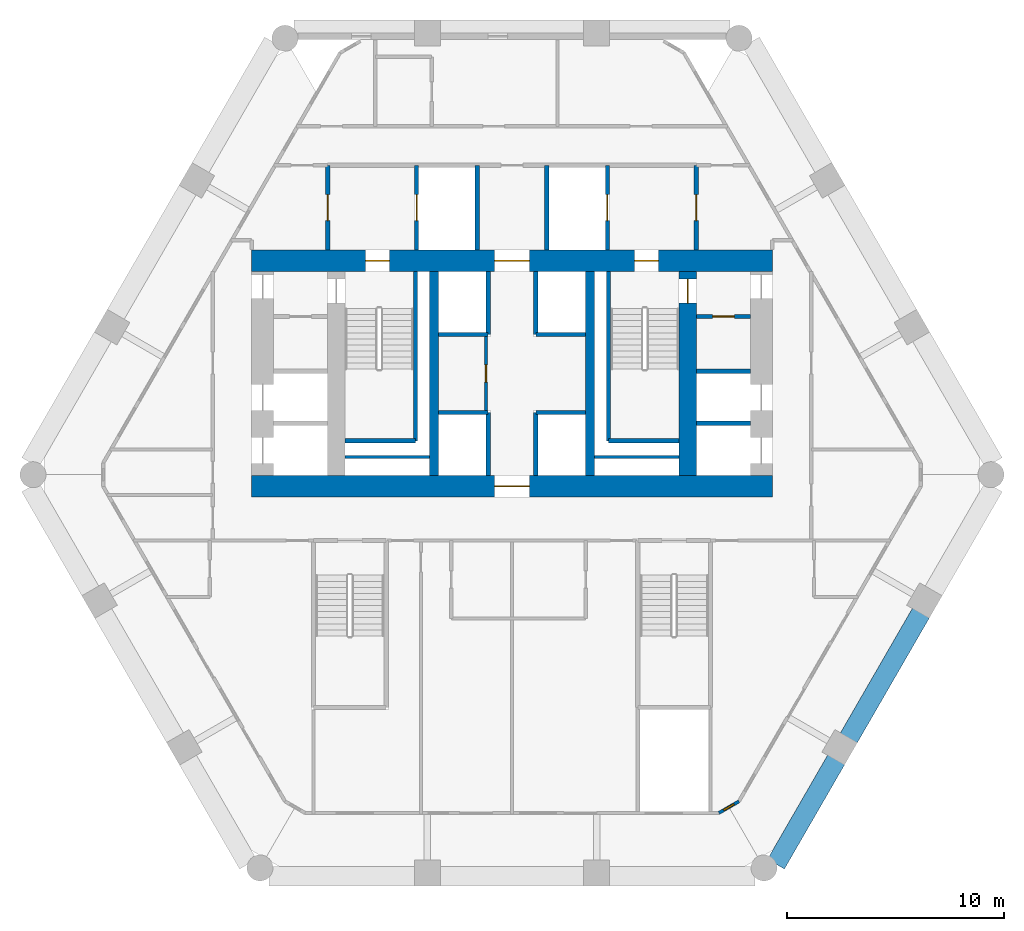
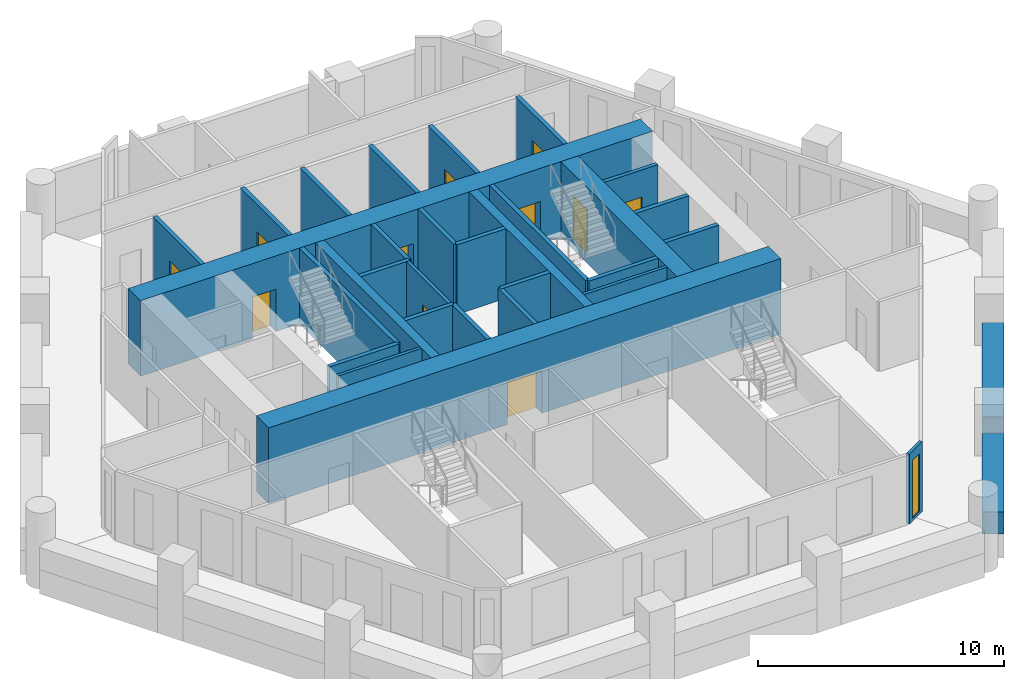
# One storey, part 4 of 7: 32 walls, 11 doors, 1 window, 12 openings.
"""IFC4 building model written with IfcOpenShell, lengths in metres."""

from ifc_helpers import new_model, si_unit, direction, frame, frame_2d, origin, place, context, subcontext, project, spatial, rectangle, extrude, material, layer, layer_set, type_object, element, fill, save


model = new_model("IFC4")

# Units and contexts
model_context = context("Model", 3, precision=1e-05, world=origin(), true_north=direction((0.0, 1.0)))
body_context = subcontext(model_context, "Body", "Model", "MODEL_VIEW")
ifc_project = project(units=[si_unit("LENGTHUNIT", "METRE"), si_unit("AREAUNIT", "SQUARE_METRE"), si_unit("VOLUMEUNIT", "CUBIC_METRE"), si_unit("PLANEANGLEUNIT", "RADIAN"), si_unit("MASSUNIT", "GRAM", prefix="KILO")], contexts=[model_context])

# Site, building, storey
site_placement = place(None, origin())
site = spatial("IfcSite", under=ifc_project, at=site_placement, CompositionType="ELEMENT")
building_placement = place(site_placement, origin())
building = spatial("IfcBuilding", under=site, at=building_placement, Name="Ostrander Bayou Hotel Tower", CompositionType="ELEMENT")
storey_placement = place(building_placement, frame((0.0, 0.0, 119.75)))
storey = spatial("IfcBuildingStorey", under=building, at=storey_placement, Name="L29", CompositionType="ELEMENT", Elevation=119.75)

# Wall, opening, door
ifc_material_1 = material(Name="Concrete f'c 70 MPa", Category="concrete")
ifc_layer_1 = layer(ifc_material_1, 1.0)
ifc_layer_set_1 = layer_set([ifc_layer_1], Name="CW4 core wall 1000 mm f'c 70 MPa")
wall_type_1 = type_object("IfcWallType", Name="CW4 core wall 1000 mm f'c 70 MPa", PredefinedType="SHEAR", material=ifc_layer_set_1)
wall_1_placement = place(storey_placement, frame((-12.0, -1.199951171875, -0.300048828125), z_axis=(0.0, 0.0, 1.0), x_axis=(1.0, 0.0, 0.0)))
wall_1 = element("IfcWall", 1, at=wall_1_placement, inside=storey, type_object=wall_type_1, Name="CW4 L29 S", PredefinedType="SHEAR", context=body_context, shape_type="SweptSolid", body=[
    extrude(rectangle(XDim=24.0, YDim=1.0, at=frame_2d((12.0, 0.0))), origin(), (0.0, 0.0, 1.0), 3.75),
])
opening_1_placement = place(wall_1_placement, frame((11.199951171875, 0.0, 0.0)))
opening_1 = element("IfcOpeningElement", 2, at=opening_1_placement, cuts=wall_1, Name="Opening T28-001", PredefinedType="OPENING", context=body_context, shape_type="SweptSolid", body=[
    extrude(rectangle(XDim=1.60009765625, YDim=2.10009765625, at=frame_2d((0.800048828125, 1.050048828125))), frame((0.0, 0.5, 0.0), z_axis=(0.0, -1.0, 0.0), x_axis=(1.0, 0.0, 0.0)), (0.0, 0.0, 1.0), 1.0),
])
ifc_material_2 = material(Name="Timber door leaf", Category="wood")
door_type_1 = type_object("IfcDoorType", Name="D13 double door 1600 x 2100 mm, 1 hour", OperationType="SINGLE_SWING_LEFT", PredefinedType="DOOR", material=ifc_material_2)
door_1_placement = place(opening_1_placement, origin())
door_1 = element("IfcDoor", 3, at=door_1_placement, inside=storey, type_object=door_type_1, Name="dr:L29:001", OperationType="DOUBLE_DOOR_SINGLE_SWING", OverallHeight=2.10009765625, OverallWidth=1.60009765625, PredefinedType="DOOR", context=body_context, shape_type="SweptSolid", body=[
    extrude(rectangle(XDim=1.60009765625, YDim=2.10009765625, at=frame_2d((0.800048828125, 1.050048828125))), frame((0.0, 0.02490234375, 0.0), z_axis=(0.0, -1.0, 0.0), x_axis=(1.0, 0.0, 0.0)), (0.0, 0.0, 1.0), 0.050048828125),
])
fill(opening_1, door_1)

# Wall, openings, doors
wall_2_placement = place(storey_placement, frame((-12.0, 9.199951171875, -0.300048828125), z_axis=(0.0, 0.0, 1.0), x_axis=(1.0, 0.0, 0.0)))
wall_2 = element("IfcWall", 4, at=wall_2_placement, inside=storey, type_object=wall_type_1, Name="CW4 L29 N", PredefinedType="SHEAR", context=body_context, shape_type="SweptSolid", body=[
    extrude(rectangle(XDim=24.0, YDim=1.0, at=frame_2d((12.0, 0.0))), origin(), (0.0, 0.0, 1.0), 3.75),
])
opening_2_placement = place(wall_2_placement, frame((11.199951171875, 0.0, 0.0)))
opening_2 = element("IfcOpeningElement", 5, at=opening_2_placement, cuts=wall_2, Name="Opening T28-002", PredefinedType="OPENING", context=body_context, shape_type="SweptSolid", body=[
    extrude(rectangle(XDim=1.60009765625, YDim=2.10009765625, at=frame_2d((0.800048828125, 1.050048828125))), frame((0.0, 0.5, 0.0), z_axis=(0.0, -1.0, 0.0), x_axis=(1.0, 0.0, 0.0)), (0.0, 0.0, 1.0), 1.0),
])
opening_3_placement = place(wall_2_placement, frame((5.25, 0.0, 0.0)))
opening_3 = element("IfcOpeningElement", 6, at=opening_3_placement, cuts=wall_2, Name="Opening T28-003", PredefinedType="OPENING", context=body_context, shape_type="SweptSolid", body=[
    extrude(rectangle(XDim=1.10009765625, YDim=2.10009765625, at=frame_2d((0.550048828125, 1.050048828125))), frame((0.0, 0.5, 0.0), z_axis=(0.0, -1.0, 0.0), x_axis=(1.0, 0.0, 0.0)), (0.0, 0.0, 1.0), 1.0),
])
opening_4_placement = place(wall_2_placement, frame((17.64990234375, 0.0, 0.0)))
opening_4 = element("IfcOpeningElement", 7, at=opening_4_placement, cuts=wall_2, Name="Opening T28-005", PredefinedType="OPENING", context=body_context, shape_type="SweptSolid", body=[
    extrude(rectangle(XDim=1.10009765625, YDim=2.10009765625, at=frame_2d((0.550048828125, 1.050048828125))), frame((0.0, 0.5, 0.0), z_axis=(0.0, -1.0, 0.0), x_axis=(1.0, 0.0, 0.0)), (0.0, 0.0, 1.0), 1.0),
])
door_2_placement = place(opening_2_placement, origin())
door_2 = element("IfcDoor", 8, at=door_2_placement, inside=storey, type_object=door_type_1, Name="dr:L29:002", OperationType="DOUBLE_DOOR_SINGLE_SWING", OverallHeight=2.10009765625, OverallWidth=1.60009765625, PredefinedType="DOOR", context=body_context, shape_type="SweptSolid", body=[
    extrude(rectangle(XDim=1.60009765625, YDim=2.10009765625, at=frame_2d((0.800048828125, 1.050048828125))), frame((0.0, 0.02490234375, 0.0), z_axis=(0.0, -1.0, 0.0), x_axis=(1.0, 0.0, 0.0)), (0.0, 0.0, 1.0), 0.050048828125),
])
fill(opening_2, door_2)
ifc_material_3 = material(Name="Timber door leaf", Category="wood")
door_type_2 = type_object("IfcDoorType", Name="D5 stair door 1100 x 2100 mm, 90 minute", OperationType="SINGLE_SWING_LEFT", PredefinedType="DOOR", material=ifc_material_3)
door_3_placement = place(opening_3_placement, origin())
door_3 = element("IfcDoor", 9, at=door_3_placement, inside=storey, type_object=door_type_2, Name="dr:L29:003", OperationType="SINGLE_SWING_LEFT", OverallHeight=2.10009765625, OverallWidth=1.10009765625, PredefinedType="DOOR", context=body_context, shape_type="SweptSolid", body=[
    extrude(rectangle(XDim=1.10009765625, YDim=2.10009765625, at=frame_2d((0.550048828125, 1.050048828125))), frame((0.0, 0.02490234375, 0.0), z_axis=(0.0, -1.0, 0.0), x_axis=(1.0, 0.0, 0.0)), (0.0, 0.0, 1.0), 0.050048828125),
])
fill(opening_3, door_3)
door_4_placement = place(opening_4_placement, origin())
door_4 = element("IfcDoor", 10, at=door_4_placement, inside=storey, type_object=door_type_2, Name="dr:L29:005", OperationType="SINGLE_SWING_RIGHT", OverallHeight=2.10009765625, OverallWidth=1.10009765625, PredefinedType="DOOR", context=body_context, shape_type="SweptSolid", body=[
    extrude(rectangle(XDim=1.10009765625, YDim=2.10009765625, at=frame_2d((0.550048828125, 1.050048828125))), frame((0.0, 0.02490234375, 0.0), z_axis=(0.0, -1.0, 0.0), x_axis=(1.0, 0.0, 0.0)), (0.0, 0.0, 1.0), 0.050048828125),
])
fill(opening_4, door_4)

# Wall, opening, door
ifc_material_4 = material(Name="Concrete f'c 70 MPa", Category="concrete")
ifc_layer_2 = layer(ifc_material_4, 0.800048828125)
ifc_layer_set_2 = layer_set([ifc_layer_2], Name="CW5 core spine wall 800 mm f'c 70 MPa")
wall_type_2 = type_object("IfcWallType", Name="CW5 core spine wall 800 mm f'c 70 MPa", PredefinedType="SHEAR", material=ifc_layer_set_2)
wall_3_placement = place(storey_placement, frame((8.10009765625, -0.699951171875, -0.300048828125), z_axis=(0.0, 0.0, 1.0), x_axis=(0.0, 1.0, 0.0)))
wall_3 = element("IfcWall", 11, at=wall_3_placement, inside=storey, type_object=wall_type_2, Name="CW5 L29 E", PredefinedType="SHEAR", context=body_context, shape_type="SweptSolid", body=[
    extrude(rectangle(XDim=9.39990234375, YDim=0.800048828125, at=frame_2d((4.699951171875, 0.0))), origin(), (0.0, 0.0, 1.0), 3.75),
])
opening_5_placement = place(wall_3_placement, frame((7.949951171875, 0.0, 0.0)))
opening_5 = element("IfcOpeningElement", 12, at=opening_5_placement, cuts=wall_3, Name="Opening T28-006", PredefinedType="OPENING", context=body_context, shape_type="SweptSolid", body=[
    extrude(rectangle(XDim=1.10009765625, YDim=2.10009765625, at=frame_2d((0.550048828125, 1.050048828125))), frame((0.0, 0.39990234375, 0.0), z_axis=(0.0, -1.0, 0.0), x_axis=(1.0, 0.0, 0.0)), (0.0, 0.0, 1.0), 0.800048828125),
])
door_5_placement = place(opening_5_placement, origin())
door_5 = element("IfcDoor", 13, at=door_5_placement, inside=storey, type_object=door_type_2, Name="dr:L29:006", OperationType="SINGLE_SWING_LEFT", OverallHeight=2.10009765625, OverallWidth=1.10009765625, PredefinedType="DOOR", context=body_context, shape_type="SweptSolid", body=[
    extrude(rectangle(XDim=1.10009765625, YDim=2.10009765625, at=frame_2d((0.550048828125, 1.050048828125))), frame((0.0, 0.02490234375, 0.0), z_axis=(0.0, -1.0, 0.0), x_axis=(1.0, 0.0, 0.0)), (0.0, 0.0, 1.0), 0.050048828125),
])
fill(opening_5, door_5)

# Walls
ifc_material_5 = material(Name="Concrete f'c 70 MPa", Category="concrete")
ifc_layer_3 = layer(ifc_material_5, 0.39990234375)
ifc_layer_set_3 = layer_set([ifc_layer_3], Name="CW6 core bank wall 400 mm f'c 70 MPa")
wall_type_3 = type_object("IfcWallType", Name="CW6 core bank wall 400 mm f'c 70 MPa", PredefinedType="SHEAR", material=ifc_layer_set_3)
for number, where, z_axis, x_axis, name in (
    (14, (-3.60009765625, -0.699951171875, -0.300048828125), (0.0, 0.0, 1.0), (0.0, 1.0, 0.0), "CW6 L29 CW"),
    (15, (3.60009765625, -0.699951171875, -0.300048828125), (0.0, 0.0, 1.0), (0.0, 1.0, 0.0), "CW6 L29 CE"),
):
    element("IfcWall", number, at=place(storey_placement, frame(where, z_axis=z_axis, x_axis=x_axis)), inside=storey, type_object=wall_type_3, Name=name, PredefinedType="SHEAR", context=body_context, shape_type="SweptSolid", body=[
        extrude(rectangle(XDim=9.39990234375, YDim=0.39990234375, at=frame_2d((4.699951171875, 0.0))), origin(), (0.0, 0.0, 1.0), 3.75),
    ])

# Wall, opening, window
ifc_material_6 = material(Name="Aluminium framed insulated wall", Category="aluminium")
ifc_layer_4 = layer(ifc_material_6, 0.14990234375)
ifc_layer_set_4 = layer_set([ifc_layer_4], Name="GW1 glass-line wall 150 mm")
wall_type_4 = type_object("IfcWallType", Name="GW1 glass-line wall 150 mm", PredefinedType="SOLIDWALL", material=ifc_layer_set_4)
wall_4_placement = place(storey_placement, frame((9.541015625, -16.259521484375, 0.0), z_axis=(0.0, 0.0, 1.0), x_axis=(0.866048165231, 0.499960573946, 0.0)))
wall_4 = element("IfcWall", 16, at=wall_4_placement, inside=storey, type_object=wall_type_4, Name="GW1 L29 corner 4", PredefinedType="SOLIDWALL", context=body_context, shape_type="SweptSolid", body=[
    extrude(rectangle(XDim=1.06494140625, YDim=0.14990234375, at=frame_2d((0.532470703125, 0.0))), origin(), (0.0, 0.0, 1.0), 3.449951171875),
])
opening_6_placement = place(wall_4_placement, frame((0.257568359375, 0.0, 0.14990234375)))
opening_6 = element("IfcOpeningElement", 17, at=opening_6_placement, cuts=wall_4, Name="Opening W19", PredefinedType="OPENING", context=body_context, shape_type="SweptSolid", body=[
    extrude(rectangle(XDim=0.550048828125, YDim=2.85009765625, at=frame_2d((0.27490234375, 1.425048828125))), frame((0.0, 0.074951171875, 0.0), z_axis=(0.0, -1.0, 0.0), x_axis=(1.0, 0.0, 0.0)), (0.0, 0.0, 1.0), 0.14990234375),
])
ifc_material_7 = material(Name="Aluminium and clear glass", Category="aluminium")
window_type = type_object("IfcWindowType", Name="W19 corner window 550 mm", PartitioningType="SINGLE_PANEL", PredefinedType="WINDOW", material=ifc_material_7)
window_placement = place(opening_6_placement, origin())
window = element("IfcWindow", 18, at=window_placement, inside=storey, type_object=window_type, Name="W19 L29 corner 4", OverallHeight=2.85009765625, OverallWidth=0.550048828125, PartitioningType="SINGLE_PANEL", PredefinedType="WINDOW", context=body_context, shape_type="SweptSolid", body=[
    extrude(rectangle(XDim=0.550048828125, YDim=2.85009765625, at=frame_2d((0.27490234375, 1.425048828125))), frame((0.0, 0.030029296875, 0.0), z_axis=(0.0, -1.0, 0.0), x_axis=(1.0, 0.0, 0.0)), (0.0, 0.0, 1.0), 0.06005859375),
])
fill(opening_6, window)

# Walls
ifc_material_8 = material(Name="Limestone masonry", Category="masonry")
ifc_layer_5 = layer(ifc_material_8, 0.89990234375)
ifc_layer_set_5 = layer_set([ifc_layer_5], Name="PA2 limestone parapet 900 mm")
wall_type_5 = type_object("IfcWallType", Name="PA2 limestone parapet 900 mm", PredefinedType="PARAPET", material=ifc_layer_set_5)
wall_5_placement = place(storey_placement, frame((12.169921875, -18.620849609375, 0.0), z_axis=(0.0, 0.0, 1.0), x_axis=(0.500008568482, 0.866020456713, 0.0)))
element("IfcWall", 19, at=wall_5_placement, inside=storey, type_object=wall_type_5, Name="PA2 L29 SE-1", PredefinedType="PARAPET", context=body_context, shape_type="SweptSolid", body=[
    extrude(rectangle(XDim=5.564453125, YDim=0.89990234375, at=frame_2d((2.7822265625, 0.0))), origin(), (0.0, 0.0, 1.0), 1.10009765625),
])
wall_6_placement = place(storey_placement, frame((15.522216796875, -12.814697265625, 0.0), z_axis=(0.0, 0.0, 1.0), x_axis=(0.499999023957, 0.866025967302, 0.0)))
element("IfcWall", 20, at=wall_6_placement, inside=storey, type_object=wall_type_5, Name="PA2 L29 SE-2", PredefinedType="PARAPET", context=body_context, shape_type="SweptSolid", body=[
    extrude(rectangle(XDim=6.67333984375, YDim=0.89990234375, at=frame_2d((3.336669921875, 0.0))), origin(), (0.0, 0.0, 1.0), 1.10009765625),
])

# Wall, opening, door
ifc_material_9 = material(Name="Gypsum board partition", Category="finish")
ifc_layer_6 = layer(ifc_material_9, 0.175048828125)
ifc_layer_set_6 = layer_set([ifc_layer_6], Name="PT4 corridor wall 175 mm, 1 hour")
wall_type_6 = type_object("IfcWallType", Name="PT4 corridor wall 175 mm, 1 hour", PredefinedType="PARTITIONING", material=ifc_layer_set_6)
wall_7_placement = place(storey_placement, frame((8.5, 6.6298828125, 0.0), z_axis=(0.0, 0.0, 1.0), x_axis=(1.0, 0.0, 0.0)))
wall_7 = element("IfcWall", 21, at=wall_7_placement, inside=storey, type_object=wall_type_6, Name="cs:L29:038", PredefinedType="PARTITIONING", context=body_context, shape_type="SweptSolid", body=[
    extrude(rectangle(XDim=2.5, YDim=0.175048828125, at=frame_2d((1.25, 0.0))), origin(), (0.0, 0.0, 1.0), 3.449951171875),
])
opening_7_placement = place(wall_7_placement, frame((0.75, 0.0, 0.0)))
opening_7 = element("IfcOpeningElement", 22, at=opening_7_placement, cuts=wall_7, Name="Opening T28-019", PredefinedType="OPENING", context=body_context, shape_type="SweptSolid", body=[
    extrude(rectangle(XDim=1.0, YDim=2.10009765625, at=frame_2d((0.5, 1.050048828125))), frame((0.0, 0.08740234375, 0.0), z_axis=(0.0, -1.0, 0.0), x_axis=(1.0, 0.0, 0.0)), (0.0, 0.0, 1.0), 0.175048828125),
])
ifc_material_10 = material(Name="Timber door leaf", Category="wood")
door_type_3 = type_object("IfcDoorType", Name="D4 corridor door 1000 x 2100 mm, 1 hour", OperationType="SINGLE_SWING_LEFT", PredefinedType="DOOR", material=ifc_material_10)
door_6_placement = place(opening_7_placement, origin())
door_6 = element("IfcDoor", 23, at=door_6_placement, inside=storey, type_object=door_type_3, Name="dr:L29:019", OperationType="SINGLE_SWING_RIGHT", OverallHeight=2.10009765625, OverallWidth=1.0, PredefinedType="DOOR", context=body_context, shape_type="SweptSolid", body=[
    extrude(rectangle(XDim=1.0, YDim=2.10009765625, at=frame_2d((0.5, 1.050048828125))), frame((0.0, 0.02490234375, 0.0), z_axis=(0.0, -1.0, 0.0), x_axis=(1.0, 0.0, 0.0)), (0.0, 0.0, 1.0), 0.050048828125),
])
fill(opening_7, door_6)

ifc_material_11 = material(Name="Masonry block", Category="masonry")
ifc_layer_7 = layer(ifc_material_11, 0.199951171875)
ifc_layer_set_7 = layer_set([ifc_layer_7], Name="PT5 stair enclosure wall 200 mm masonry, 2 hour")
wall_type_7 = type_object("IfcWallType", Name="PT5 stair enclosure wall 200 mm masonry, 2 hour", PredefinedType="PARTITIONING", material=ifc_layer_set_7)
wall_8_placement = place(storey_placement, frame((-8.5, 9.699951171875, 0.0), z_axis=(0.0, 0.0, 1.0), x_axis=(0.0, 1.0, 0.0)))
wall_8 = element("IfcWall", 24, at=wall_8_placement, inside=storey, type_object=wall_type_7, Name="cs:L29:026", PredefinedType="PARTITIONING", context=body_context, shape_type="SweptSolid", body=[
    extrude(rectangle(XDim=3.900146484375, YDim=0.199951171875, at=frame_2d((1.9501953125, 0.0))), origin(), (0.0, 0.0, 1.0), 3.449951171875),
])
opening_8_placement = place(wall_8_placement, frame((1.35009765625, 0.0, 0.0)))
opening_8 = element("IfcOpeningElement", 25, at=opening_8_placement, cuts=wall_8, Name="Opening T28-010", PredefinedType="OPENING", context=body_context, shape_type="SweptSolid", body=[
    extrude(rectangle(XDim=1.199951171875, YDim=2.10009765625, at=frame_2d((0.60009765625, 1.050048828125))), frame((0.0, 0.10009765625, 0.0), z_axis=(0.0, -1.0, 0.0), x_axis=(1.0, 0.0, 0.0)), (0.0, 0.0, 1.0), 0.199951171875),
])
ifc_material_12 = material(Name="Timber door leaf", Category="wood")
door_type_4 = type_object("IfcDoorType", Name="D7 lobby door 1200 x 2100 mm, 1 hour", OperationType="SINGLE_SWING_LEFT", PredefinedType="DOOR", material=ifc_material_12)
door_7_placement = place(opening_8_placement, origin())
door_7 = element("IfcDoor", 26, at=door_7_placement, inside=storey, type_object=door_type_4, Name="dr:L29:010", OperationType="SINGLE_SWING_LEFT", OverallHeight=2.10009765625, OverallWidth=1.199951171875, PredefinedType="DOOR", context=body_context, shape_type="SweptSolid", body=[
    extrude(rectangle(XDim=1.199951171875, YDim=2.10009765625, at=frame_2d((0.60009765625, 1.050048828125))), frame((0.0, 0.02490234375, 0.0), z_axis=(0.0, -1.0, 0.0), x_axis=(1.0, 0.0, 0.0)), (0.0, 0.0, 1.0), 0.050048828125),
])
fill(opening_8, door_7)

wall_9_placement = place(storey_placement, frame((8.5, 9.699951171875, 0.0), z_axis=(0.0, 0.0, 1.0), x_axis=(0.0, 1.0, 0.0)))
wall_9 = element("IfcWall", 27, at=wall_9_placement, inside=storey, type_object=wall_type_7, Name="cs:L29:027", PredefinedType="PARTITIONING", context=body_context, shape_type="SweptSolid", body=[
    extrude(rectangle(XDim=3.900146484375, YDim=0.199951171875, at=frame_2d((1.9501953125, 0.0))), origin(), (0.0, 0.0, 1.0), 3.449951171875),
])
opening_9_placement = place(wall_9_placement, frame((1.35009765625, 0.0, 0.0)))
opening_9 = element("IfcOpeningElement", 28, at=opening_9_placement, cuts=wall_9, Name="Opening T28-012", PredefinedType="OPENING", context=body_context, shape_type="SweptSolid", body=[
    extrude(rectangle(XDim=1.199951171875, YDim=2.10009765625, at=frame_2d((0.60009765625, 1.050048828125))), frame((0.0, 0.10009765625, 0.0), z_axis=(0.0, -1.0, 0.0), x_axis=(1.0, 0.0, 0.0)), (0.0, 0.0, 1.0), 0.199951171875),
])
door_8_placement = place(opening_9_placement, origin())
door_8 = element("IfcDoor", 29, at=door_8_placement, inside=storey, type_object=door_type_4, Name="dr:L29:012", OperationType="SINGLE_SWING_LEFT", OverallHeight=2.10009765625, OverallWidth=1.199951171875, PredefinedType="DOOR", context=body_context, shape_type="SweptSolid", body=[
    extrude(rectangle(XDim=1.199951171875, YDim=2.10009765625, at=frame_2d((0.60009765625, 1.050048828125))), frame((0.0, 0.02490234375, 0.0), z_axis=(0.0, -1.0, 0.0), x_axis=(1.0, 0.0, 0.0)), (0.0, 0.0, 1.0), 0.050048828125),
])
fill(opening_9, door_8)

wall_10_placement = place(storey_placement, frame((-4.39990234375, 9.699951171875, 0.0), z_axis=(0.0, 0.0, 1.0), x_axis=(0.0, 1.0, 0.0)))
wall_10 = element("IfcWall", 30, at=wall_10_placement, inside=storey, type_object=wall_type_7, Name="cs:L29:028", PredefinedType="PARTITIONING", context=body_context, shape_type="SweptSolid", body=[
    extrude(rectangle(XDim=3.900146484375, YDim=0.199951171875, at=frame_2d((1.9501953125, 0.0))), origin(), (0.0, 0.0, 1.0), 3.449951171875),
])
opening_10_placement = place(wall_10_placement, frame((1.35009765625, 0.0, 0.0)))
opening_10 = element("IfcOpeningElement", 31, at=opening_10_placement, cuts=wall_10, Name="Opening T28-009", PredefinedType="OPENING", context=body_context, shape_type="SweptSolid", body=[
    extrude(rectangle(XDim=1.199951171875, YDim=2.10009765625, at=frame_2d((0.60009765625, 1.050048828125))), frame((0.0, 0.10009765625, 0.0), z_axis=(0.0, -1.0, 0.0), x_axis=(1.0, 0.0, 0.0)), (0.0, 0.0, 1.0), 0.199951171875),
])
ifc_material_13 = material(Name="Stainless steel sliding door", Category="steel")
door_type_5 = type_object("IfcDoorType", Name="LD1 lift landing door 1200 x 2100 mm", OperationType="SINGLE_SWING_LEFT", PredefinedType="DOOR", material=ifc_material_13)
door_9_placement = place(opening_10_placement, origin())
door_9 = element("IfcDoor", 32, at=door_9_placement, inside=storey, type_object=door_type_5, Name="dr:L29:009", OperationType="SLIDING_TO_LEFT", OverallHeight=2.10009765625, OverallWidth=1.199951171875, PredefinedType="DOOR", context=body_context, shape_type="SweptSolid", body=[
    extrude(rectangle(XDim=1.199951171875, YDim=2.10009765625, at=frame_2d((0.60009765625, 1.050048828125))), frame((0.0, 0.02490234375, 0.0), z_axis=(0.0, -1.0, 0.0), x_axis=(1.0, 0.0, 0.0)), (0.0, 0.0, 1.0), 0.050048828125),
])
fill(opening_10, door_9)

wall_11_placement = place(storey_placement, frame((4.39990234375, 9.699951171875, 0.0), z_axis=(0.0, 0.0, 1.0), x_axis=(0.0, 1.0, 0.0)))
wall_11 = element("IfcWall", 33, at=wall_11_placement, inside=storey, type_object=wall_type_7, Name="cs:L29:029", PredefinedType="PARTITIONING", context=body_context, shape_type="SweptSolid", body=[
    extrude(rectangle(XDim=3.900146484375, YDim=0.199951171875, at=frame_2d((1.9501953125, 0.0))), origin(), (0.0, 0.0, 1.0), 3.449951171875),
])
opening_11_placement = place(wall_11_placement, frame((1.35009765625, 0.0, 0.0)))
opening_11 = element("IfcOpeningElement", 34, at=opening_11_placement, cuts=wall_11, Name="Opening T28-011", PredefinedType="OPENING", context=body_context, shape_type="SweptSolid", body=[
    extrude(rectangle(XDim=1.199951171875, YDim=2.10009765625, at=frame_2d((0.60009765625, 1.050048828125))), frame((0.0, 0.10009765625, 0.0), z_axis=(0.0, -1.0, 0.0), x_axis=(1.0, 0.0, 0.0)), (0.0, 0.0, 1.0), 0.199951171875),
])
door_10_placement = place(opening_11_placement, origin())
door_10 = element("IfcDoor", 35, at=door_10_placement, inside=storey, type_object=door_type_5, Name="dr:L29:011", OperationType="SLIDING_TO_LEFT", OverallHeight=2.10009765625, OverallWidth=1.199951171875, PredefinedType="DOOR", context=body_context, shape_type="SweptSolid", body=[
    extrude(rectangle(XDim=1.199951171875, YDim=2.10009765625, at=frame_2d((0.60009765625, 1.050048828125))), frame((0.0, 0.02490234375, 0.0), z_axis=(0.0, -1.0, 0.0), x_axis=(1.0, 0.0, 0.0)), (0.0, 0.0, 1.0), 0.050048828125),
])
fill(opening_11, door_10)

# Walls
ifc_material_14 = material(Name="Masonry block", Category="masonry")
ifc_layer_8 = layer(ifc_material_14, 0.199951171875)
ifc_layer_set_8 = layer_set([ifc_layer_8], Name="PT6 lift shaft wall 200 mm masonry, 2 hour")
wall_type_8 = type_object("IfcWallType", Name="PT6 lift shaft wall 200 mm masonry, 2 hour", PredefinedType="PARTITIONING", material=ifc_layer_set_8)
for number, where, z_axis, x_axis, name in (
    (36, (-3.39990234375, 2.199951171875, 0.0), (0.0, 0.0, 1.0), (1.0, 0.0, 0.0), "cs:L29:001"),
    (37, (-3.39990234375, 5.800048828125, 0.0), (0.0, 0.0, 1.0), (1.0, 0.0, 0.0), "cs:L29:002"),
    (38, (1.10009765625, 2.199951171875, 0.0), (0.0, 0.0, 1.0), (1.0, 0.0, 0.0), "cs:L29:003"),
    (39, (1.10009765625, 5.800048828125, 0.0), (0.0, 0.0, 1.0), (1.0, 0.0, 0.0), "cs:L29:004"),
):
    element("IfcWall", number, at=place(storey_placement, frame(where, z_axis=z_axis, x_axis=x_axis)), inside=storey, type_object=wall_type_8, Name=name, PredefinedType="PARTITIONING", context=body_context, shape_type="SweptSolid", body=[
        extrude(rectangle(XDim=2.2998046875, YDim=0.199951171875, at=frame_2d((1.14990234375, 0.0))), origin(), (0.0, 0.0, 1.0), 3.449951171875),
    ])
for number, where, z_axis, x_axis, name in (
    (40, (-1.10009765625, -0.699951171875, 0.0), (0.0, 0.0, 1.0), (0.0, 1.0, 0.0), "cs:L29:005"),
    (41, (1.10009765625, -0.699951171875, 0.0), (0.0, 0.0, 1.0), (0.0, 1.0, 0.0), "cs:L29:006"),
    (42, (-1.10009765625, 5.800048828125, 0.0), (0.0, 0.0, 1.0), (0.0, 1.0, 0.0), "cs:L29:007"),
    (43, (1.10009765625, 5.800048828125, 0.0), (0.0, 0.0, 1.0), (0.0, 1.0, 0.0), "cs:L29:008"),
):
    element("IfcWall", number, at=place(storey_placement, frame(where, z_axis=z_axis, x_axis=x_axis)), inside=storey, type_object=wall_type_8, Name=name, PredefinedType="PARTITIONING", context=body_context, shape_type="SweptSolid", body=[
        extrude(rectangle(XDim=2.89990234375, YDim=0.199951171875, at=frame_2d((1.449951171875, 0.0))), origin(), (0.0, 0.0, 1.0), 3.449951171875),
    ])
for number, where, z_axis, x_axis, name in (
    (44, (-1.60009765625, 9.699951171875, 0.0), (0.0, 0.0, 1.0), (0.0, 1.0, 0.0), "cs:L29:030"),
    (45, (1.60009765625, 9.699951171875, 0.0), (0.0, 0.0, 1.0), (0.0, 1.0, 0.0), "cs:L29:031"),
):
    element("IfcWall", number, at=place(storey_placement, frame(where, z_axis=z_axis, x_axis=x_axis)), inside=storey, type_object=wall_type_8, Name=name, PredefinedType="PARTITIONING", context=body_context, shape_type="SweptSolid", body=[
        extrude(rectangle(XDim=3.900146484375, YDim=0.199951171875, at=frame_2d((1.9501953125, 0.0))), origin(), (0.0, 0.0, 1.0), 3.449951171875),
    ])
for number, where, z_axis, x_axis, name in (
    (46, (8.5, 1.699951171875, 0.0), (0.0, 0.0, 1.0), (1.0, 0.0, 0.0), "cs:L29:036"),
    (47, (8.5, 4.10009765625, 0.0), (0.0, 0.0, 1.0), (1.0, 0.0, 0.0), "cs:L29:037"),
):
    element("IfcWall", number, at=place(storey_placement, frame(where, z_axis=z_axis, x_axis=x_axis)), inside=storey, type_object=wall_type_8, Name=name, PredefinedType="PARTITIONING", context=body_context, shape_type="SweptSolid", body=[
        extrude(rectangle(XDim=2.5, YDim=0.199951171875, at=frame_2d((1.25, 0.0))), origin(), (0.0, 0.0, 1.0), 3.449951171875),
    ])
ifc_material_15 = material(Name="Gypsum board partition", Category="finish")
ifc_layer_9 = layer(ifc_material_15, 0.14990234375)
ifc_layer_set_9 = layer_set([ifc_layer_9], Name="PT7 riser wall 150 mm, 2 hour")
wall_type_9 = type_object("IfcWallType", Name="PT7 riser wall 150 mm, 2 hour", PredefinedType="PARTITIONING", material=ifc_layer_set_9)
for number, where, z_axis, x_axis, name in (
    (48, (-7.699951171875, 0.14990234375, 0.0), (0.0, 0.0, 1.0), (1.0, 0.0, 0.0), "cs:L29:011"),
    (49, (3.800048828125, 0.14990234375, 0.0), (0.0, 0.0, 1.0), (1.0, 0.0, 0.0), "cs:L29:014"),
):
    element("IfcWall", number, at=place(storey_placement, frame(where, z_axis=z_axis, x_axis=x_axis)), inside=storey, type_object=wall_type_9, Name=name, PredefinedType="PARTITIONING", context=body_context, shape_type="SweptSolid", body=[
        extrude(rectangle(XDim=3.89990234375, YDim=0.14990234375, at=frame_2d((1.949951171875, 0.0))), origin(), (0.0, 0.0, 1.0), 3.449951171875),
    ])

# Wall, opening, door
wall_12_placement = place(storey_placement, frame((-1.199951171875, 2.300048828125, 0.0), z_axis=(0.0, 0.0, 1.0), x_axis=(0.0, 1.0, 0.0)))
wall_12 = element("IfcWall", 50, at=wall_12_placement, inside=storey, type_object=wall_type_9, Name="cs:L29:032", PredefinedType="PARTITIONING", context=body_context, shape_type="SweptSolid", body=[
    extrude(rectangle(XDim=3.39990234375, YDim=0.14990234375, at=frame_2d((1.699951171875, 0.0))), origin(), (0.0, 0.0, 1.0), 3.449951171875),
])
opening_12_placement = place(wall_12_placement, frame((1.300048828125, 0.0, 0.0)))
opening_12 = element("IfcOpeningElement", 51, at=opening_12_placement, cuts=wall_12, Name="Opening T28-014", PredefinedType="OPENING", context=body_context, shape_type="SweptSolid", body=[
    extrude(rectangle(XDim=0.800048828125, YDim=2.10009765625, at=frame_2d((0.39990234375, 1.050048828125))), frame((0.0, 0.074951171875, 0.0), z_axis=(0.0, -1.0, 0.0), x_axis=(1.0, 0.0, 0.0)), (0.0, 0.0, 1.0), 0.14990234375),
])
ifc_material_16 = material(Name="Timber door leaf", Category="wood")
door_type_6 = type_object("IfcDoorType", Name="D6 riser door 800 x 2100 mm, 90 minute", OperationType="SINGLE_SWING_LEFT", PredefinedType="DOOR", material=ifc_material_16)
door_11_placement = place(opening_12_placement, origin())
door_11 = element("IfcDoor", 52, at=door_11_placement, inside=storey, type_object=door_type_6, Name="dr:L29:014", OperationType="SINGLE_SWING_LEFT", OverallHeight=2.10009765625, OverallWidth=0.800048828125, PredefinedType="DOOR", context=body_context, shape_type="SweptSolid", body=[
    extrude(rectangle(XDim=0.800048828125, YDim=2.10009765625, at=frame_2d((0.39990234375, 1.050048828125))), frame((0.0, 0.02490234375, 0.0), z_axis=(0.0, -1.0, 0.0), x_axis=(1.0, 0.0, 0.0)), (0.0, 0.0, 1.0), 0.050048828125),
])
fill(opening_12, door_11)

# Walls
ifc_material_17 = material(Name="Concrete f'c 45 MPa", Category="concrete")
ifc_layer_10 = layer(ifc_material_17, 0.199951171875)
ifc_layer_set_10 = layer_set([ifc_layer_10], Name="SW5 stair enclosure wall 200 mm f'c 45 MPa")
wall_type_10 = type_object("IfcWallType", Name="SW5 stair enclosure wall 200 mm f'c 45 MPa", PredefinedType="SOLIDWALL", material=ifc_layer_set_10)
wall_13_placement = place(storey_placement, frame((-4.449951171875, 0.89990234375, -0.300048828125), z_axis=(0.0, 0.0, 1.0), x_axis=(0.0, 1.0, 0.0)))
element("IfcWall", 53, at=wall_13_placement, inside=storey, type_object=wall_type_10, Name="cs:L29:009", PredefinedType="SOLIDWALL", context=body_context, shape_type="SweptSolid", body=[
    extrude(rectangle(XDim=7.800048828125, YDim=0.199951171875, at=frame_2d((3.89990234375, 0.0))), origin(), (0.0, 0.0, 1.0), 3.75),
])
wall_14_placement = place(storey_placement, frame((-7.699951171875, 0.89990234375, -0.300048828125), z_axis=(0.0, 0.0, 1.0), x_axis=(1.0, 0.0, 0.0)))
element("IfcWall", 54, at=wall_14_placement, inside=storey, type_object=wall_type_10, Name="cs:L29:010", PredefinedType="SOLIDWALL", context=body_context, shape_type="SweptSolid", body=[
    extrude(rectangle(XDim=3.25, YDim=0.199951171875, at=frame_2d((1.625, 0.0))), origin(), (0.0, 0.0, 1.0), 3.75),
])
wall_15_placement = place(storey_placement, frame((4.449951171875, 0.89990234375, -0.300048828125), z_axis=(0.0, 0.0, 1.0), x_axis=(0.0, 1.0, 0.0)))
element("IfcWall", 55, at=wall_15_placement, inside=storey, type_object=wall_type_10, Name="cs:L29:012", PredefinedType="SOLIDWALL", context=body_context, shape_type="SweptSolid", body=[
    extrude(rectangle(XDim=7.800048828125, YDim=0.199951171875, at=frame_2d((3.89990234375, 0.0))), origin(), (0.0, 0.0, 1.0), 3.75),
])
wall_16_placement = place(storey_placement, frame((4.449951171875, 0.89990234375, -0.300048828125), z_axis=(0.0, 0.0, 1.0), x_axis=(1.0, 0.0, 0.0)))
element("IfcWall", 56, at=wall_16_placement, inside=storey, type_object=wall_type_10, Name="cs:L29:013", PredefinedType="SOLIDWALL", context=body_context, shape_type="SweptSolid", body=[
    extrude(rectangle(XDim=3.25, YDim=0.199951171875, at=frame_2d((1.625, 0.0))), origin(), (0.0, 0.0, 1.0), 3.75),
])

save(model, "model.ifc")
